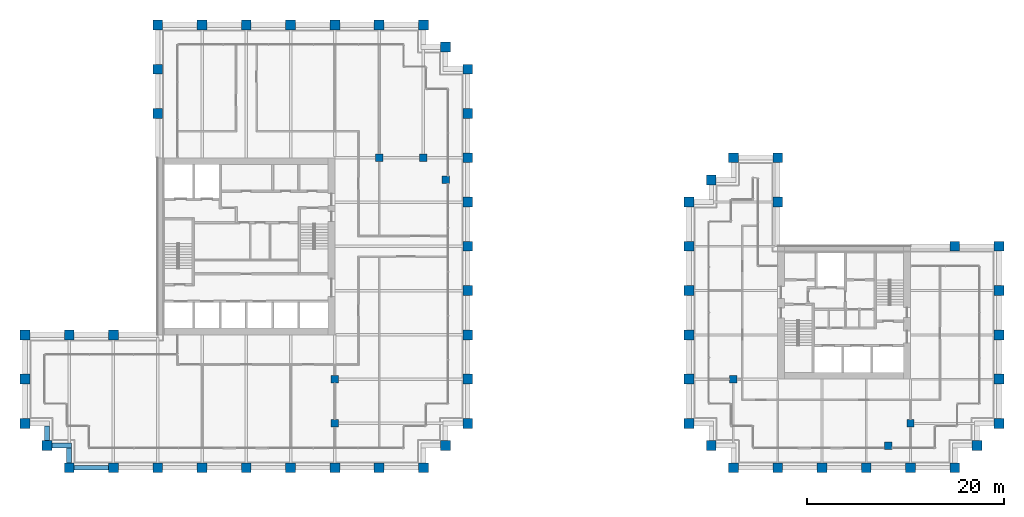
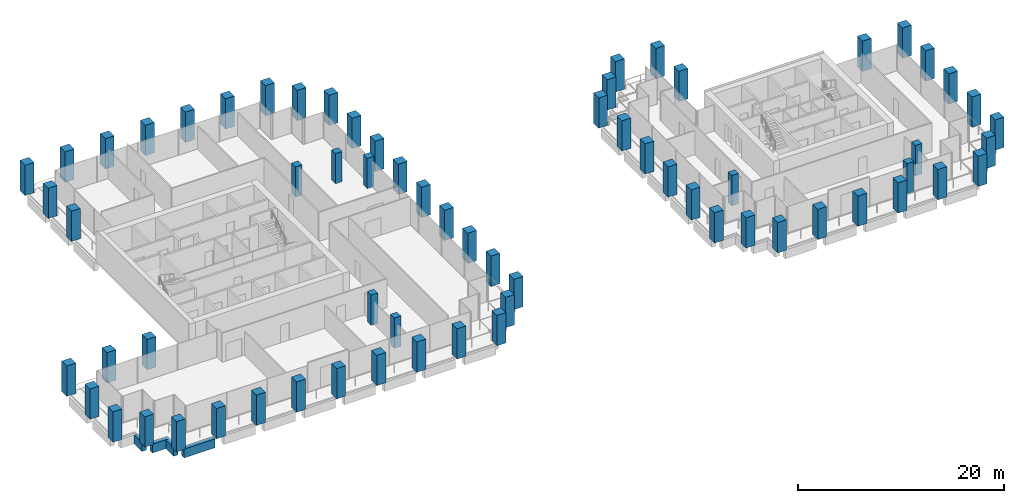
# One storey, part 1 of 46: 67 columns, 4 beams.
"""IFC4 building model written with IfcOpenShell, lengths in metres."""

from ifc_helpers import new_model, si_unit, direction, frame, origin, origin_2d, place, context, subcontext, project, spatial, rectangle, extrude, material, material_profile, profile_set, type_object, element, save


model = new_model("IFC4")

# Units and contexts
model_context = context("Model", 3, precision=1e-05, world=origin(), true_north=direction((0.0, 1.0)))
body_context = subcontext(model_context, "Body", "Model", "MODEL_VIEW")
ifc_project = project(units=[si_unit("LENGTHUNIT", "METRE"), si_unit("AREAUNIT", "SQUARE_METRE"), si_unit("VOLUMEUNIT", "CUBIC_METRE"), si_unit("PLANEANGLEUNIT", "RADIAN"), si_unit("MASSUNIT", "GRAM", prefix="KILO")], contexts=[model_context])

# Site, building, storey
site_placement = place(None, origin())
site = spatial("IfcSite", under=ifc_project, at=site_placement, CompositionType="ELEMENT")
building_placement = place(site_placement, origin())
building = spatial("IfcBuilding", under=site, at=building_placement, Name="Altepetl Exchange Towers", CompositionType="ELEMENT")
storey_placement = place(building_placement, frame((0.0, 0.0, 106.39990234375)))
storey = spatial("IfcBuildingStorey", under=building, at=storey_placement, Name="L26", CompositionType="ELEMENT", Elevation=106.39990234375)

# Columns
ifc_material_1 = material(Name="Concrete C70/85", Category="concrete")
ifc_material_profile_1 = material_profile(ifc_material_1, rectangle(XDim=0.75, YDim=0.75, at=origin_2d()), Name="750 x 750")
ifc_profile_set_1 = profile_set([ifc_material_profile_1], Name="Concrete C70/85")
column_type_1 = type_object("IfcColumnType", Name="Interior column 750", PredefinedType="COLUMN", material=ifc_profile_set_1)
for number, where, name in (
    (1, (58.5, 31.5, 0.0), "col:A:L26:035"),
    (2, (58.5, 36.0, 0.0), "col:A:L26:036"),
    (3, (63.0, 58.5, 0.0), "col:A:L26:037"),
    (4, (67.5, 58.5, 0.0), "col:A:L26:038"),
    (5, (69.75, 56.25, 0.0), "col:A:L26:039"),
    (6, (99.0, 36.0, 0.0), "col:B:L26:024"),
    (7, (114.75, 29.25, 0.0), "col:B:L26:025"),
    (8, (117.0, 31.5, 0.0), "col:B:L26:026"),
):
    element("IfcColumn", number, at=place(storey_placement, frame(where)), inside=storey, type_object=column_type_1, Name=name, PredefinedType="COLUMN", context=body_context, shape_type="SweptSolid", body=[
        extrude(rectangle(XDim=0.75, YDim=0.75, at=origin_2d()), origin(), (0.0, 0.0, 1.0), 3.60009765625),
    ])
ifc_material_2 = material(Name="Concrete C70/85 precast with cantera amarilla facing", Category="concrete")
ifc_material_profile_2 = material_profile(ifc_material_2, rectangle(XDim=1.0, YDim=1.0, at=origin_2d()), Name="1000 x 1000")
ifc_profile_set_2 = profile_set([ifc_material_profile_2], Name="Concrete C70/85 precast with cantera amarilla facing")
column_type_2 = type_object("IfcColumnType", Name="Perimeter column 1000 cantera amarilla", PredefinedType="COLUMN", material=ifc_profile_set_2)
for number, where, name in (
    (9, (58.5, 27.0, 0.0), "col:A:L26:006"),
    (10, (63.0, 27.0, 0.0), "col:A:L26:007"),
    (11, (67.5, 27.0, 0.0), "col:A:L26:008"),
    (12, (69.75, 29.25, 0.0), "col:A:L26:009"),
    (13, (72.0, 31.5, 0.0), "col:A:L26:010"),
    (14, (72.0, 36.0, 0.0), "col:A:L26:011"),
    (15, (72.0, 40.5, 0.0), "col:A:L26:012"),
    (16, (72.0, 45.0, 0.0), "col:A:L26:013"),
    (17, (72.0, 49.5, 0.0), "col:A:L26:014"),
    (18, (72.0, 54.0, 0.0), "col:A:L26:015"),
    (19, (126.0, 49.5, 0.0), "col:B:L26:011"),
    (20, (121.5, 49.5, 0.0), "col:B:L26:012"),
):
    element("IfcColumn", number, at=place(storey_placement, frame(where)), inside=storey, type_object=column_type_2, Name=name, PredefinedType="COLUMN", context=body_context, shape_type="SweptSolid", body=[
        extrude(rectangle(XDim=1.0, YDim=1.0, at=origin_2d()), origin(), (0.0, 0.0, 1.0), 3.60009765625),
    ])
ifc_material_3 = material(Name="Concrete C70/85 precast with cantera blanca facing", Category="concrete")
ifc_material_profile_3 = material_profile(ifc_material_3, rectangle(XDim=1.0, YDim=1.0, at=origin_2d()), Name="1000 x 1000")
ifc_profile_set_3 = profile_set([ifc_material_profile_3], Name="Concrete C70/85 precast with cantera blanca facing")
column_type_3 = type_object("IfcColumnType", Name="Perimeter column 1000 cantera blanca", PredefinedType="COLUMN", material=ifc_profile_set_3)
for number, where, name in (
    (21, (31.5, 27.0, 0.0), "col:A:L26:000"),
    (22, (36.0, 27.0, 0.0), "col:A:L26:001"),
    (23, (40.5, 27.0, 0.0), "col:A:L26:002"),
    (24, (45.0, 27.0, 0.0), "col:A:L26:003"),
    (25, (49.5, 27.0, 0.0), "col:A:L26:004"),
    (26, (54.0, 27.0, 0.0), "col:A:L26:005"),
    (27, (27.0, 36.0, 0.0), "col:A:L26:032"),
    (28, (27.0, 31.5, 0.0), "col:A:L26:033"),
    (29, (29.25, 29.25, 0.0), "col:A:L26:034"),
    (30, (117.0, 27.0, 0.0), "col:B:L26:004"),
    (31, (121.5, 27.0, 0.0), "col:B:L26:005"),
    (32, (123.75, 29.25, 0.0), "col:B:L26:006"),
    (33, (126.0, 31.5, 0.0), "col:B:L26:007"),
    (34, (126.0, 36.0, 0.0), "col:B:L26:008"),
    (35, (126.0, 40.5, 0.0), "col:B:L26:009"),
    (36, (126.0, 45.0, 0.0), "col:B:L26:010"),
):
    element("IfcColumn", number, at=place(storey_placement, frame(where)), inside=storey, type_object=column_type_3, Name=name, PredefinedType="COLUMN", context=body_context, shape_type="SweptSolid", body=[
        extrude(rectangle(XDim=1.0, YDim=1.0, at=origin_2d()), origin(), (0.0, 0.0, 1.0), 3.60009765625),
    ])
ifc_material_4 = material(Name="Concrete C70/85 precast with cantera rosa facing", Category="concrete")
ifc_material_profile_4 = material_profile(ifc_material_4, rectangle(XDim=1.0, YDim=1.0, at=origin_2d()), Name="1000 x 1000")
ifc_profile_set_4 = profile_set([ifc_material_profile_4], Name="Concrete C70/85 precast with cantera rosa facing")
column_type_4 = type_object("IfcColumnType", Name="Perimeter column 1000 cantera rosa", PredefinedType="COLUMN", material=ifc_profile_set_4)
for number, where, name in (
    (37, (72.0, 58.5, 0.0), "col:A:L26:016"),
    (38, (72.0, 63.0, 0.0), "col:A:L26:017"),
    (39, (72.0, 67.5, 0.0), "col:A:L26:018"),
    (40, (69.75, 69.75, 0.0), "col:A:L26:019"),
    (41, (67.5, 72.0, 0.0), "col:A:L26:020"),
    (42, (63.0, 72.0, 0.0), "col:A:L26:021"),
    (43, (58.5, 72.0, 0.0), "col:A:L26:022"),
    (44, (54.0, 72.0, 0.0), "col:A:L26:023"),
    (45, (49.5, 72.0, 0.0), "col:A:L26:024"),
    (46, (45.0, 72.0, 0.0), "col:A:L26:025"),
    (47, (103.5, 54.0, 0.0), "col:B:L26:013"),
    (48, (103.5, 58.5, 0.0), "col:B:L26:014"),
    (49, (99.0, 58.5, 0.0), "col:B:L26:015"),
    (50, (96.75, 56.25, 0.0), "col:B:L26:016"),
    (51, (94.5, 54.0, 0.0), "col:B:L26:017"),
    (52, (94.5, 49.5, 0.0), "col:B:L26:018"),
    (53, (94.5, 45.0, 0.0), "col:B:L26:019"),
    (54, (94.5, 40.5, 0.0), "col:B:L26:020"),
    (55, (94.5, 36.0, 0.0), "col:B:L26:021"),
):
    element("IfcColumn", number, at=place(storey_placement, frame(where)), inside=storey, type_object=column_type_4, Name=name, PredefinedType="COLUMN", context=body_context, shape_type="SweptSolid", body=[
        extrude(rectangle(XDim=1.0, YDim=1.0, at=origin_2d()), origin(), (0.0, 0.0, 1.0), 3.60009765625),
    ])
ifc_material_5 = material(Name="Concrete C70/85 precast with tezontle facing", Category="concrete")
ifc_material_profile_5 = material_profile(ifc_material_5, rectangle(XDim=1.0, YDim=1.0, at=origin_2d()), Name="1000 x 1000")
ifc_profile_set_5 = profile_set([ifc_material_profile_5], Name="Concrete C70/85 precast with tezontle facing")
column_type_5 = type_object("IfcColumnType", Name="Perimeter column 1000 tezontle", PredefinedType="COLUMN", material=ifc_profile_set_5)
for number, where, name in (
    (56, (40.5, 72.0, 0.0), "col:A:L26:026"),
    (57, (40.5, 67.5, 0.0), "col:A:L26:027"),
    (58, (40.5, 63.0, 0.0), "col:A:L26:028"),
    (59, (36.0, 40.5, 0.0), "col:A:L26:029"),
    (60, (31.5, 40.5, 0.0), "col:A:L26:030"),
    (61, (27.0, 40.5, 0.0), "col:A:L26:031"),
    (62, (99.0, 27.0, 0.0), "col:B:L26:000"),
    (63, (103.5, 27.0, 0.0), "col:B:L26:001"),
    (64, (108.0, 27.0, 0.0), "col:B:L26:002"),
    (65, (112.5, 27.0, 0.0), "col:B:L26:003"),
    (66, (94.5, 31.5, 0.0), "col:B:L26:022"),
    (67, (96.75, 29.25, 0.0), "col:B:L26:023"),
):
    element("IfcColumn", number, at=place(storey_placement, frame(where)), inside=storey, type_object=column_type_5, Name=name, PredefinedType="COLUMN", context=body_context, shape_type="SweptSolid", body=[
        extrude(rectangle(XDim=1.0, YDim=1.0, at=origin_2d()), origin(), (0.0, 0.0, 1.0), 3.60009765625),
    ])

# Beams
ifc_material_6 = material(Name="Concrete C50/60 precast with cantera blanca facing", Category="concrete")
ifc_material_profile_6 = material_profile(ifc_material_6, rectangle(XDim=0.5, YDim=1.050048828125, at=origin_2d()), Name="500 x 1050")
ifc_profile_set_6 = profile_set([ifc_material_profile_6], Name="Concrete C50/60 precast with cantera blanca facing")
beam_type = type_object("IfcBeamType", Name="Spandrel beam 500x1050 cantera blanca", PredefinedType="SPANDREL", material=ifc_profile_set_6)
beam_1_placement = place(storey_placement, frame((32.0, 27.0, -0.6748046875), z_axis=(1.0, 0.0, 0.0), x_axis=(0.0, 1.0, 0.0)))
element("IfcBeam", 68, at=beam_1_placement, inside=storey, type_object=beam_type, Name="sp:A:L26:000", PredefinedType="SPANDREL", context=body_context, shape_type="SweptSolid", body=[
    extrude(rectangle(XDim=0.5, YDim=1.050048828125, at=origin_2d()), origin(), (0.0, 0.0, 1.0), 3.5),
])
beam_2_placement = place(storey_placement, frame((29.25, 31.25, -0.6748046875), z_axis=(0.0, -1.0, 0.0), x_axis=(1.0, 0.0, 0.0)))
element("IfcBeam", 69, at=beam_2_placement, inside=storey, type_object=beam_type, Name="sp:A:L26:039", PredefinedType="SPANDREL", context=body_context, shape_type="SweptSolid", body=[
    extrude(rectangle(XDim=0.5, YDim=1.050048828125, at=origin_2d()), origin(), (0.0, 0.0, 1.0), 1.5),
])
beam_3_placement = place(storey_placement, frame((29.75, 29.25, -0.6748046875), z_axis=(1.0, 0.0, 0.0), x_axis=(0.0, 1.0, 0.0)))
element("IfcBeam", 70, at=beam_3_placement, inside=storey, type_object=beam_type, Name="sp:A:L26:040", PredefinedType="SPANDREL", context=body_context, shape_type="SweptSolid", body=[
    extrude(rectangle(XDim=0.5, YDim=1.050048828125, at=origin_2d()), origin(), (0.0, 0.0, 1.0), 2.0),
])
beam_4_placement = place(storey_placement, frame((31.5, 29.0, -0.6748046875), z_axis=(0.0, -1.0, 0.0), x_axis=(1.0, 0.0, 0.0)))
element("IfcBeam", 71, at=beam_4_placement, inside=storey, type_object=beam_type, Name="sp:A:L26:041", PredefinedType="SPANDREL", context=body_context, shape_type="SweptSolid", body=[
    extrude(rectangle(XDim=0.5, YDim=1.050048828125, at=origin_2d()), origin(), (0.0, 0.0, 1.0), 1.5),
])

save(model, "model.ifc")
